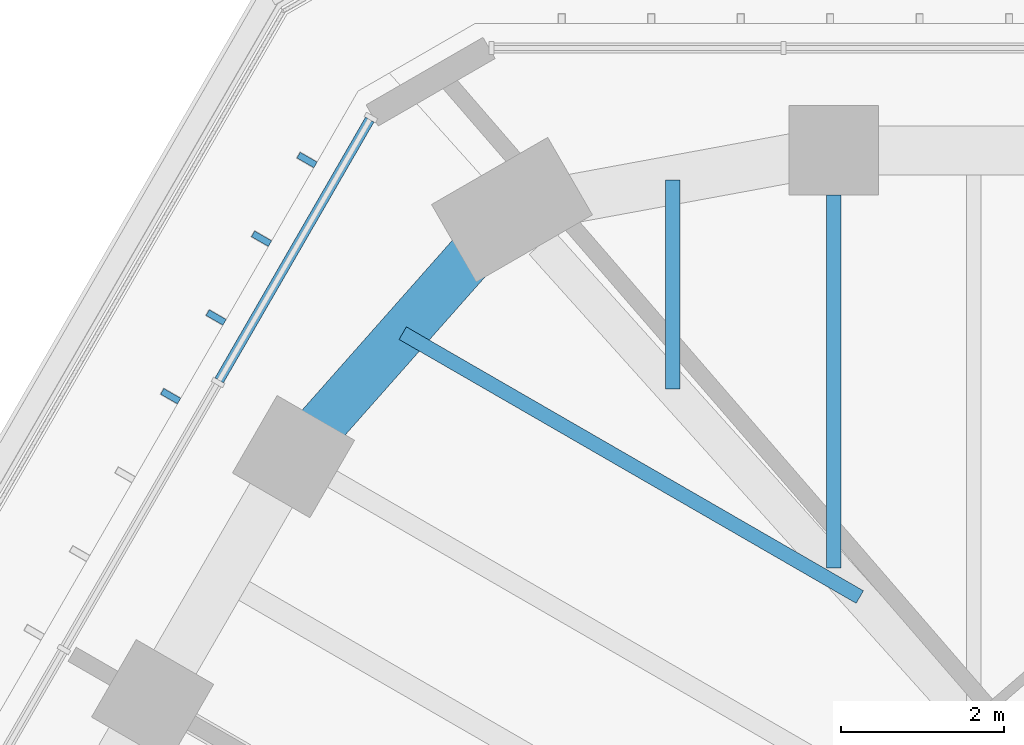
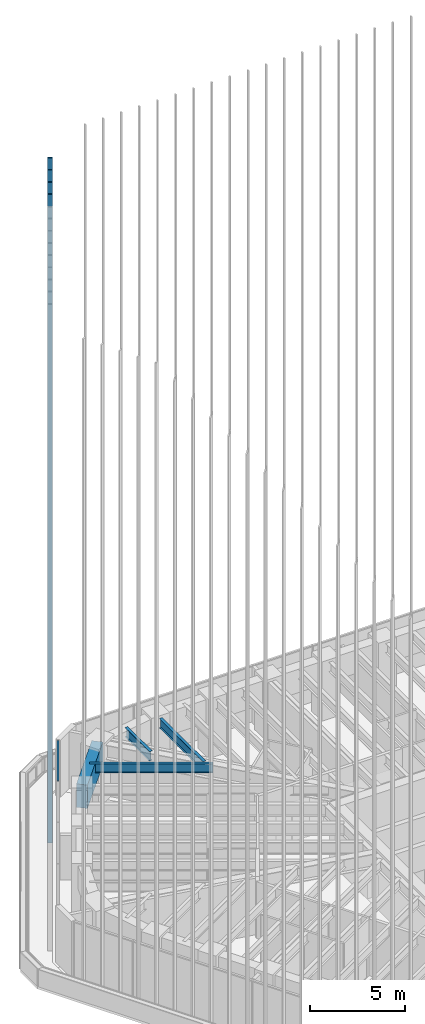
# One storey, part 62 of 127: 5 members, 4 beams, 1 element without a shape of its own.
"""IFC4 building model written with IfcOpenShell, lengths in metres."""

from ifc_helpers import new_model, si_unit, direction, frame, origin, origin_2d, place, context, subcontext, project, spatial, rectangle, i_section, extrude, material, material_profile, profile_set, type_object, element, aggregate, save


model = new_model("IFC4")

# Units and contexts
model_context = context("Model", 3, precision=1e-05, world=origin(), true_north=direction((0.0, 1.0)))
body_context = subcontext(model_context, "Body", "Model", "MODEL_VIEW")
ifc_project = project(units=[si_unit("LENGTHUNIT", "METRE"), si_unit("AREAUNIT", "SQUARE_METRE"), si_unit("VOLUMEUNIT", "CUBIC_METRE"), si_unit("PLANEANGLEUNIT", "RADIAN"), si_unit("MASSUNIT", "GRAM", prefix="KILO")], contexts=[model_context])

# Site, building, storey
site_placement = place(None, origin())
site = spatial("IfcSite", under=ifc_project, at=site_placement, CompositionType="ELEMENT")
building_placement = place(site_placement, origin())
building = spatial("IfcBuilding", under=site, at=building_placement, Name="Sandreach Pilgrim Tower", CompositionType="ELEMENT")
storey_placement = place(building_placement, frame((0.0, 0.0, 257.0)))
storey = spatial("IfcBuildingStorey", under=building, at=storey_placement, Name="L64", CompositionType="ELEMENT", Elevation=257.0)

# Curtain wall, member
ifc_material_1 = material(Name="Aluminium framed curtain wall", Category="aluminium")
curtain_wall_type = type_object("IfcCurtainWallType", Name="Suite tower curtain wall", PredefinedType="NOTDEFINED", material=ifc_material_1)
curtain_wall_placement = place(storey_placement, origin())
curtain_wall = element("IfcCurtainWall", 1, at=curtain_wall_placement, inside=storey, type_object=curtain_wall_type, Name="CW-4 L64 NW", PredefinedType="NOTDEFINED")
ifc_material_2 = material(Name="Aluminium extrusion", Category="aluminium")
ifc_material_profile_1 = material_profile(ifc_material_2, rectangle(XDim=0.1201171875, YDim=0.070068359375, at=origin_2d()), Name="CW-4T 120X70")
ifc_profile_set_1 = profile_set([ifc_material_profile_1], Name="Aluminium extrusion")
member_type_1 = type_object("IfcMemberType", Name="CW-4 transom", PredefinedType="USERDEFINED", material=ifc_profile_set_1)
member_1_placement = place(storey_placement, frame((-19.616943359375, 15.73876953125, 3.60498046875), z_axis=(0.499990780478, 0.866030726613, 0.0), x_axis=(-0.866030726613, 0.499990780478, 0.0)))
member_1 = element("IfcMember", 2, at=member_1_placement, type_object=member_type_1, Name="CW-4 head transom 4", ObjectType="TRANSOM", PredefinedType="USERDEFINED", context=body_context, shape_type="SweptSolid", body=[
    extrude(rectangle(XDim=0.1201171875, YDim=0.070068359375, at=origin_2d()), origin(), (0.0, 0.0, 1.0), 3.70166015625),
])

# Beams
ifc_material_3 = material(Name="Steel ASTM A992 Grade 50", Category="steel")
ifc_material_profile_2 = material_profile(ifc_material_3, i_section(OverallWidth=0.1787109375, OverallDepth=0.60205078125, WebThickness=0.010986328125, FlangeThickness=0.014892578125, at=origin_2d()), Name="W24X62")
ifc_profile_set_2 = profile_set([ifc_material_profile_2], Name="Steel ASTM A992 Grade 50")
beam_type_1 = type_object("IfcBeamType", Name="Floor beam W24X62", PredefinedType="BEAM", material=ifc_profile_set_2)
beam_1_placement = place(storey_placement, frame((-12.0576171875, 18.016357421875, 3.339111328125), z_axis=(0.0, -1.0, 0.0), x_axis=(1.0, 0.0, 0.0)))
element("IfcBeam", 3, at=beam_1_placement, inside=storey, type_object=beam_type_1, Name="BM L64 F01", PredefinedType="BEAM", context=body_context, shape_type="SweptSolid", body=[
    extrude(i_section(OverallWidth=0.1787109375, OverallDepth=0.60205078125, WebThickness=0.010986328125, FlangeThickness=0.014892578125, at=origin_2d()), origin(), (0.0, 0.0, 1.0), 4.58837890625),
])
beam_2_placement = place(storey_placement, frame((-17.360107421875, 16.31884765625, 3.339111328125), z_axis=(0.866023980233, -0.500002465655, 0.0), x_axis=(0.500002465655, 0.866023980233, 0.0)))
element("IfcBeam", 4, at=beam_2_placement, inside=storey, type_object=beam_type_1, Name="BM L64 FM38", PredefinedType="BEAM", context=body_context, shape_type="SweptSolid", body=[
    extrude(i_section(OverallWidth=0.1787109375, OverallDepth=0.60205078125, WebThickness=0.010986328125, FlangeThickness=0.014892578125, at=origin_2d()), origin(), (0.0, 0.0, 1.0), 6.49072265625),
])
beam_3_placement = place(storey_placement, frame((-14.037109375, 18.201904296875, 3.339111328125), z_axis=(0.0, -1.0, 0.0), x_axis=(1.0, 0.0, 0.0)))
element("IfcBeam", 5, at=beam_3_placement, inside=storey, type_object=beam_type_1, Name="BM L64 FM39", PredefinedType="BEAM", context=body_context, shape_type="SweptSolid", body=[
    extrude(i_section(OverallWidth=0.1787109375, OverallDepth=0.60205078125, WebThickness=0.010986328125, FlangeThickness=0.014892578125, at=origin_2d()), origin(), (0.0, 0.0, 1.0), 2.5693359375),
])
ifc_material_4 = material(Name="Concrete 10000 psi", Category="concrete")
ifc_material_profile_3 = material_profile(ifc_material_4, rectangle(XDim=0.60009765625, YDim=1.5, at=origin_2d()), Name="RC600X1500")
ifc_profile_set_3 = profile_set([ifc_material_profile_3], Name="Concrete 10000 psi")
beam_type_2 = type_object("IfcBeamType", Name="Spandrel beam RC600X1500", PredefinedType="SPANDREL", material=ifc_profile_set_3)
beam_4_placement = place(storey_placement, frame((-18.70361328125, 14.80029296875, 2.889892578125), z_axis=(0.662650525414, 0.748928755736, 0.0), x_axis=(-0.748928755736, 0.662650525414, 0.0)))
element("IfcBeam", 6, at=beam_4_placement, inside=storey, type_object=beam_type_2, Name="BM L64 SP38", PredefinedType="SPANDREL", context=body_context, shape_type="SweptSolid", body=[
    extrude(rectangle(XDim=0.60009765625, YDim=1.5, at=origin_2d()), origin(), (0.0, 0.0, 1.0), 4.054931640625),
])

# Member
ifc_material_5 = material(Name="Extruded terracotta on aluminium core", Category="masonry")
ifc_material_profile_4 = material_profile(ifc_material_5, rectangle(XDim=0.080078125, YDim=0.239990234375, at=origin_2d()), Name="TBW 80X240")
ifc_profile_set_4 = profile_set([ifc_material_profile_4], Name="Extruded terracotta on aluminium core")
member_type_2 = type_object("IfcMemberType", Name="Terracotta baguette west", PredefinedType="USERDEFINED", material=ifc_profile_set_4)
member_2_placement = place(storey_placement, frame((-20.21435546875, 15.543701171875, 0.0), z_axis=(0.0, 0.0, 1.0), x_axis=(0.5, 0.866025403784, 0.0)))
member_2 = element("IfcMember", 7, at=member_2_placement, type_object=member_type_2, Name="Baguette Z4 NW10", ObjectType="BAGUETTE", PredefinedType="USERDEFINED", context=body_context, shape_type="SweptSolid", body=[
    extrude(rectangle(XDim=0.080078125, YDim=0.239990234375, at=origin_2d()), origin(), (0.0, 0.0, 1.0), 41.639892578125),
])

member_3_placement = place(storey_placement, frame((-19.655517578125, 16.51171875, 0.0), z_axis=(0.0, 0.0, 1.0), x_axis=(0.5, 0.866025403784, 0.0)))
member_3 = element("IfcMember", 8, at=member_3_placement, type_object=member_type_2, Name="Baguette Z4 NW11", ObjectType="BAGUETTE", PredefinedType="USERDEFINED", context=body_context, shape_type="SweptSolid", body=[
    extrude(rectangle(XDim=0.080078125, YDim=0.239990234375, at=origin_2d()), origin(), (0.0, 0.0, 1.0), 41.639892578125),
])

member_4_placement = place(storey_placement, frame((-19.096435546875, 17.47998046875, 0.0), z_axis=(0.0, 0.0, 1.0), x_axis=(0.5, 0.866025403784, 0.0)))
member_4 = element("IfcMember", 9, at=member_4_placement, type_object=member_type_2, Name="Baguette Z4 NW12", ObjectType="BAGUETTE", PredefinedType="USERDEFINED", context=body_context, shape_type="SweptSolid", body=[
    extrude(rectangle(XDim=0.080078125, YDim=0.239990234375, at=origin_2d()), origin(), (0.0, 0.0, 1.0), 41.639892578125),
])

member_5_placement = place(storey_placement, frame((-18.537353515625, 18.4482421875, 0.0), z_axis=(0.0, 0.0, 1.0), x_axis=(0.5, 0.866025403784, 0.0)))
member_5 = element("IfcMember", 10, at=member_5_placement, type_object=member_type_2, Name="Baguette Z4 NW13", ObjectType="BAGUETTE", PredefinedType="USERDEFINED", context=body_context, shape_type="SweptSolid", body=[
    extrude(rectangle(XDim=0.080078125, YDim=0.239990234375, at=origin_2d()), origin(), (0.0, 0.0, 1.0), 41.639892578125),
])

aggregate(curtain_wall, [member_1, member_2, member_3, member_4, member_5])

save(model, "model.ifc")
